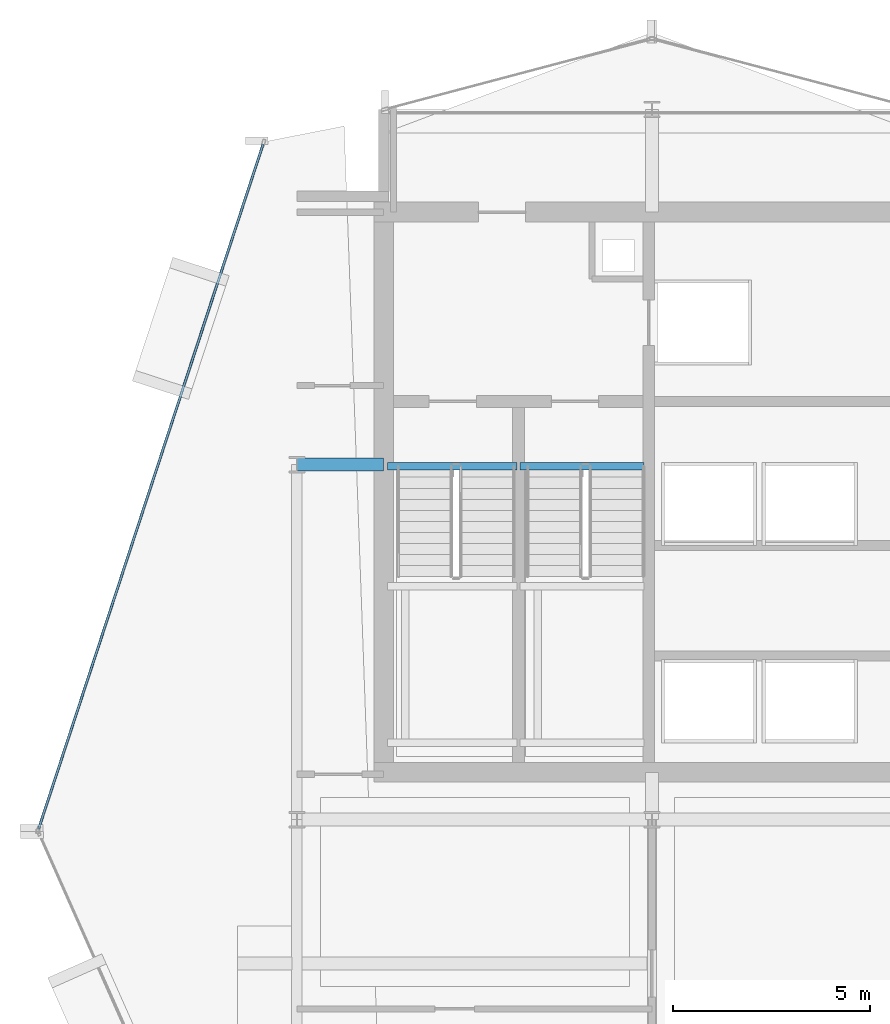
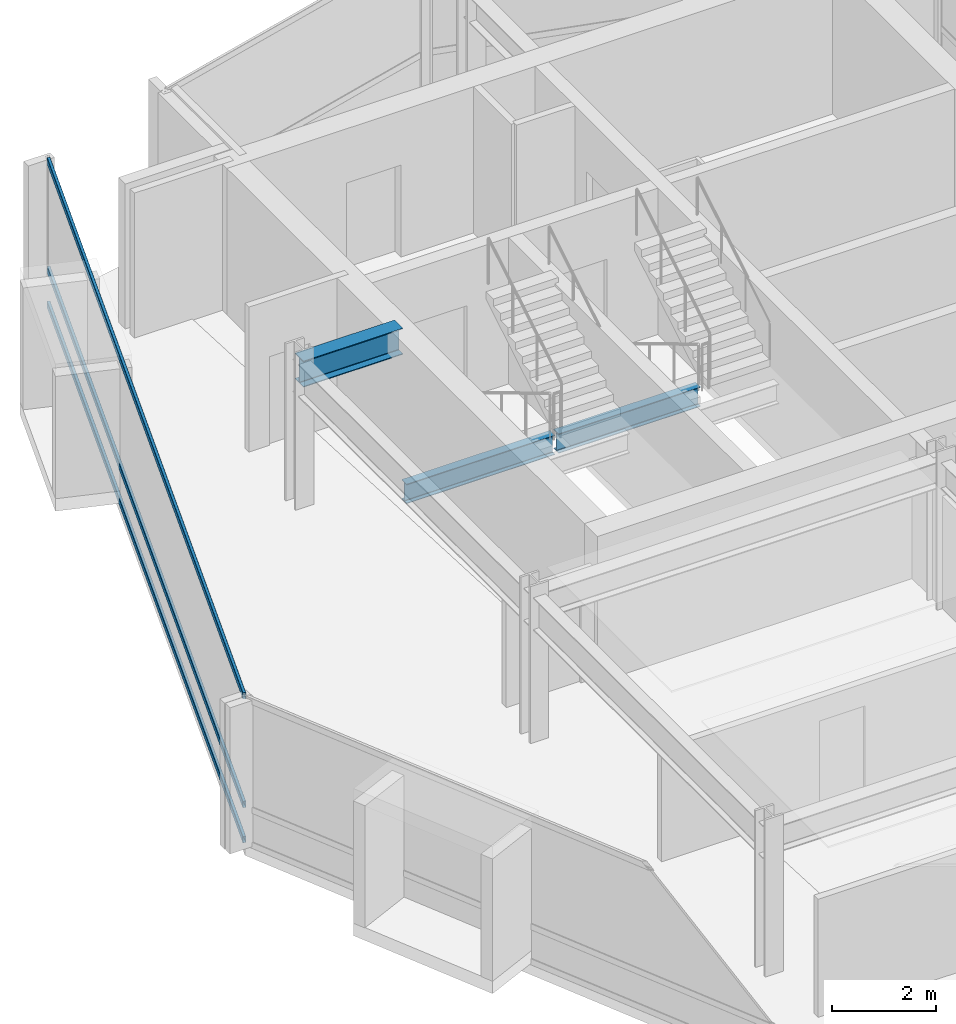
# One storey, part 15 of 27: 3 beams, 3 members, 1 element without a shape of its own.
"""IFC4 building model written with IfcOpenShell, lengths in metres."""

import ifcopenshell
import ifcopenshell.guid

model = None  # the IFC model being written
_history = None  # IfcOwnerHistory: only IFC2X3 demands one
_inside = {}  # id of a spatial element -> (the spatial element, [elements in it])
_under = {}  # id of a project, library or spatial element -> (it, [spatial elements below it])
_declared = {}  # id of a project -> (the project, [libraries it declares])
_typed = {}  # id of a type object -> (the type object, [elements of that type])
_made_of = {}  # id of a material, layer set ... -> (it, [elements and type objects made of it])


def new_model(schema):
    """Start an empty IFC model of exactly this schema.

    Asked for "IFC4X3", IfcOpenShell would pick the latest addendum, in which some entities
    have other attributes; the version numbers below select the first issue.
    IFC2X3 requires an IfcOwnerHistory on every rooted entity: one is made here for all.
    """
    global model, _history
    if schema == "IFC4X3":
        model = ifcopenshell.file(schema_version=(4, 3, 0, 0))
    else:
        model = ifcopenshell.file(schema=schema)
    _inside.clear()
    _under.clear()
    _declared.clear()
    _typed.clear()
    _made_of.clear()
    _history = None
    if model.schema == "IFC2X3":
        org = make("IfcOrganization", Name="unknown")
        user = make(
            "IfcPersonAndOrganization",
            ThePerson=make("IfcPerson", FamilyName="unknown"),
            TheOrganization=org,
        )
        app = make(
            "IfcApplication",
            ApplicationDeveloper=org,
            Version="unknown",
            ApplicationFullName="unknown",
            ApplicationIdentifier="unknown",
        )
        _history = make(
            "IfcOwnerHistory",
            OwningUser=user,
            OwningApplication=app,
            ChangeAction="ADDED",
            CreationDate=0,
        )
    return model


def make(cls, **values):
    """One entity of the class cls with the attributes given. An attribute that is None is left unset."""
    return model.create_entity(
        cls, **{name: value for name, value in values.items() if value is not None}
    )


def rooted(cls, **values):
    """An entity with a GlobalId (a new one), such as an element, a storey or a relation."""
    return make(cls, GlobalId=ifcopenshell.guid.new(), OwnerHistory=_history, **values)


def si_unit(unit_type, name, prefix=None):
    """IfcSIUnit, for example si_unit("LENGTHUNIT", "METRE", prefix="MILLI")."""
    return make("IfcSIUnit", UnitType=unit_type, Prefix=prefix, Name=name)


def assignment(units):
    """IfcUnitAssignment: the units of a project."""
    return None if units is None else make("IfcUnitAssignment", Units=units)


def point(xyz):
    """IfcCartesianPoint."""
    return None if xyz is None else make("IfcCartesianPoint", Coordinates=xyz)


def direction(xyz):
    """IfcDirection."""
    return None if xyz is None else make("IfcDirection", DirectionRatios=xyz)


def frame(location, z_axis=None, x_axis=None):
    """IfcAxis2Placement3D, a coordinate frame: its origin and axes. An axis left out is left unset."""
    return make(
        "IfcAxis2Placement3D",
        Location=point(location),
        Axis=direction(z_axis),
        RefDirection=direction(x_axis),
    )


def frame_2d(location, x_axis=None):
    """IfcAxis2Placement2D, a coordinate frame in the plane: its origin and x axis."""
    return make(
        "IfcAxis2Placement2D", Location=point(location), RefDirection=direction(x_axis)
    )


def origin():
    """The frame at (0, 0, 0) with its axes left unset."""
    return frame((0.0, 0.0, 0.0))


def origin_2d():
    """The frame at (0, 0) in the plane with its x axis left unset."""
    return frame_2d((0.0, 0.0))


def place(relative_to, where):
    """IfcLocalPlacement: puts the frame where relative to a parent placement (None: the world)."""
    return make(
        "IfcLocalPlacement", PlacementRelTo=relative_to, RelativePlacement=where
    )


def context(
    kind, dimensions, precision=None, world=None, true_north=None, identifier=None
):
    """IfcGeometricRepresentationContext, for example the 3D "Model" context."""
    return make(
        "IfcGeometricRepresentationContext",
        ContextIdentifier=identifier,
        ContextType=kind,
        CoordinateSpaceDimension=dimensions,
        Precision=precision,
        WorldCoordinateSystem=world,
        TrueNorth=true_north,
    )


def subcontext(parent, identifier, kind, view, scale=None):
    """IfcGeometricRepresentationSubContext, for example "Body" below "Model"."""
    return make(
        "IfcGeometricRepresentationSubContext",
        ContextIdentifier=identifier,
        ContextType=kind,
        ParentContext=parent,
        TargetScale=scale,
        TargetView=view,
    )


def project(units=None, contexts=None):
    """IfcProject with its units and contexts."""
    return rooted(
        "IfcProject",
        Name="project",
        RepresentationContexts=contexts,
        UnitsInContext=assignment(units),
    )


def spatial(cls, under=None, at=None, **own):
    """A site, building, storey or space (cls), placed at a placement, below another one or the project."""
    s = rooted(cls, ObjectPlacement=at, **own)
    if under is not None:
        _under.setdefault(under.id(), (under, []))[1].append(s)
    return s


def profile(cls, at=None, kind="AREA", **sizes):
    """A parametric profile (cls). Its sizes go by their IFC names, for example OverallWidth=200.0."""
    return make(cls, ProfileType=kind, Position=at, **sizes)


def hollow_rectangle(**sizes):
    """IfcRectangleHollowProfileDef."""
    return profile("IfcRectangleHollowProfileDef", **sizes)


def i_section(**sizes):
    """IfcIShapeProfileDef."""
    return profile("IfcIShapeProfileDef", **sizes)


def extrude(swept, where, along, depth):
    """IfcExtrudedAreaSolid: the profile swept, set in the frame where, extruded along a direction by depth."""
    return make(
        "IfcExtrudedAreaSolid",
        SweptArea=swept,
        Position=where,
        ExtrudedDirection=direction(along),
        Depth=depth,
    )


def shape(context_of_items, identifier, shape_type, items):
    """IfcShapeRepresentation: the items that make up one representation, for example the "Body"."""
    return make(
        "IfcShapeRepresentation",
        ContextOfItems=context_of_items,
        RepresentationIdentifier=identifier,
        RepresentationType=shape_type,
        Items=items,
    )


def material(Name=None, Category=None):
    """IfcMaterial."""
    return make("IfcMaterial", Name=Name, Category=Category)


def layer(
    of_material, thickness, ventilated=None, Name=None, Category=None, Priority=None
):
    """IfcMaterialLayer: one layer of a wall or slab, of a material (None: an air gap)."""
    return make(
        "IfcMaterialLayer",
        Material=of_material,
        LayerThickness=thickness,
        IsVentilated=ventilated,
        Name=Name,
        Category=Category,
        Priority=Priority,
    )


def layer_set(layers, Name=None):
    """IfcMaterialLayerSet."""
    return make("IfcMaterialLayerSet", MaterialLayers=layers, LayerSetName=Name)


def material_profile(
    of_material, cross_section, Name=None, Category=None, Priority=None
):
    """IfcMaterialProfile: a cross section and its material."""
    return make(
        "IfcMaterialProfile",
        Name=Name,
        Material=of_material,
        Profile=cross_section,
        Priority=Priority,
        Category=Category,
    )


def profile_set(profiles, Name=None, composite=None):
    """IfcMaterialProfileSet."""
    return make(
        "IfcMaterialProfileSet",
        Name=Name,
        MaterialProfiles=profiles,
        CompositeProfile=composite,
    )


def made_of(thing, what):
    """Note that an element or type object is made of a material, layer set ...; save() writes the relation."""
    if what is not None:
        _made_of.setdefault(what.id(), (what, []))[1].append(thing)
    return thing


def type_object(cls, material=None, **own):
    """A type object (cls), such as IfcWallType, which elements share."""
    return made_of(rooted(cls, **own), material)


def element(
    cls,
    number,
    at=None,
    inside=None,
    cuts=None,
    type_object=None,
    material=None,
    context=None,
    identifier="Body",
    shape_type=None,
    held_by="IfcProductDefinitionShape",
    body=None,
    shapes=None,
    **own,
):
    """One element of the class cls, such as IfcWall. Its Tag is "e" and its number.

    at: its placement. inside: the storey or other place that contains it. cuts: it is an
    opening in that element (IfcRelVoidsElement). A single representation is given by context,
    identifier, shape_type and body (its items); several are given by shapes. held_by: the class
    of the entity that holds the representations. save() writes the other relations.
    """
    e = rooted(cls, Tag="e%d" % number, ObjectPlacement=at, **own)
    if body is not None:
        shapes = [shape(context, identifier, shape_type, body)]
    if shapes is not None:
        e.Representation = make(held_by, Representations=shapes)
    if inside is not None:
        _inside.setdefault(inside.id(), (inside, []))[1].append(e)
    if cuts is not None:
        rooted(
            "IfcRelVoidsElement", RelatingBuildingElement=cuts, RelatedOpeningElement=e
        )
    if type_object is not None:
        _typed.setdefault(type_object.id(), (type_object, []))[1].append(e)
    return made_of(e, material)


def aggregate(whole, parts):
    """IfcRelAggregates: a whole, such as a stair, and the parts it consists of."""
    return rooted("IfcRelAggregates", RelatingObject=whole, RelatedObjects=parts)


def save(model, path):
    """Write the relations noted so far, then the file.

    IfcRelAggregates (storeys below a building ...), IfcRelContainedInSpatialStructure (elements
    in a storey), IfcRelDefinesByType, IfcRelAssociatesMaterial and IfcRelDeclares: one each for
    every whole, place, type object, material and project.
    """
    for whole, parts in _under.values():
        aggregate(whole, parts)
    for where, things in _inside.values():
        rooted(
            "IfcRelContainedInSpatialStructure",
            RelatedElements=things,
            RelatingStructure=where,
        )
    for kind, things in _typed.values():
        rooted("IfcRelDefinesByType", RelatedObjects=things, RelatingType=kind)
    for what, things in _made_of.values():
        rooted("IfcRelAssociatesMaterial", RelatedObjects=things, RelatingMaterial=what)
    for by, libraries in _declared.values():
        rooted("IfcRelDeclares", RelatingContext=by, RelatedDefinitions=libraries)
    model.write(path)


model = new_model("IFC4")

# Units and contexts
model_context = context("Model", 3, precision=1e-05, world=origin(), true_north=direction((0.0, 1.0)))
body_context = subcontext(model_context, "Body", "Model", "MODEL_VIEW")
ifc_project = project(units=[si_unit("LENGTHUNIT", "METRE"), si_unit("AREAUNIT", "SQUARE_METRE"), si_unit("VOLUMEUNIT", "CUBIC_METRE"), si_unit("PLANEANGLEUNIT", "RADIAN"), si_unit("MASSUNIT", "GRAM", prefix="KILO")], contexts=[model_context])

# Site, building, storey
site_placement = place(None, origin())
site = spatial("IfcSite", under=ifc_project, at=site_placement, CompositionType="ELEMENT")
building_placement = place(site_placement, origin())
building = spatial("IfcBuilding", under=site, at=building_placement, Name="Solvaryn Broadcast Tower", CompositionType="ELEMENT")
storey_placement = place(building_placement, frame((0.0, 0.0, 177.89990234375)))
storey = spatial("IfcBuildingStorey", under=building, at=storey_placement, Name="L44", CompositionType="ELEMENT", Elevation=177.89990234375)

# Beams
ifc_material_1 = material(Name="Steel ASTM A992 Grade 50", Category="steel")
ifc_material_profile_1 = material_profile(ifc_material_1, i_section(OverallWidth=0.323974609375, OverallDepth=0.611083984375, WebThickness=0.0126953125, FlangeThickness=0.01904296875, FilletRadius=0.014892578125, at=origin_2d()))
ifc_profile_set_1 = profile_set([ifc_material_profile_1], Name="Steel ASTM A992 Grade 50")
beam_type_1 = type_object("IfcBeamType", Name="BM-B1-W24X104", PredefinedType="BEAM", material=ifc_profile_set_1)
beam_1_placement = place(storey_placement, frame((9.0, 36.0, 3.114501953125), z_axis=(1.0, 0.0, 0.0), x_axis=(0.0, 1.0, 0.0)))
element("IfcBeam", 1, at=beam_1_placement, inside=storey, type_object=beam_type_1, Name="L44 Core Tie Beam CTW1", PredefinedType="BEAM", context=body_context, shape_type="SweptSolid", body=[
    extrude(i_section(OverallWidth=0.323974609375, OverallDepth=0.611083984375, WebThickness=0.0126953125, FlangeThickness=0.01904296875, FilletRadius=0.014892578125, at=origin_2d()), origin(), (0.0, 0.0, 1.0), 2.199951171875),
])
ifc_material_2 = material(Name="Steel ASTM A992 Grade 50", Category="steel")
ifc_material_profile_2 = material_profile(ifc_material_2, i_section(OverallWidth=0.18994140625, OverallDepth=0.45703125, WebThickness=0.009033203125, FlangeThickness=0.014404296875, FilletRadius=0.011962890625, at=origin_2d()))
ifc_profile_set_2 = profile_set([ifc_material_profile_2], Name="Steel ASTM A992 Grade 50")
beam_type_2 = type_object("IfcBeamType", Name="BM-B4-W18X50", PredefinedType="BEAM", material=ifc_profile_set_2)
beam_2_placement = place(storey_placement, frame((11.300048828125, 35.9599609375, -0.50830078125), z_axis=(1.0, 0.0, 0.0), x_axis=(0.0, 1.0, 0.0)))
element("IfcBeam", 2, at=beam_2_placement, inside=storey, type_object=beam_type_2, Name="L44 ST1 Stair Well Trimmer Beam", PredefinedType="BEAM", context=body_context, shape_type="SweptSolid", body=[
    extrude(i_section(OverallWidth=0.18994140625, OverallDepth=0.45703125, WebThickness=0.009033203125, FlangeThickness=0.014404296875, FilletRadius=0.011962890625, at=origin_2d()), origin(), (0.0, 0.0, 1.0), 3.280029296875),
])
beam_3_placement = place(storey_placement, frame((14.659912109375, 35.9599609375, -0.50830078125), z_axis=(1.0, 0.0, 0.0), x_axis=(0.0, 1.0, 0.0)))
element("IfcBeam", 3, at=beam_3_placement, inside=storey, type_object=beam_type_2, Name="L44 ST2 Stair Well Trimmer Beam", PredefinedType="BEAM", context=body_context, shape_type="SweptSolid", body=[
    extrude(i_section(OverallWidth=0.18994140625, OverallDepth=0.45703125, WebThickness=0.009033203125, FlangeThickness=0.014404296875, FilletRadius=0.011962890625, at=origin_2d()), origin(), (0.0, 0.0, 1.0), 3.14013671875),
])

# Curtain wall, members
ifc_material_3 = material(Name="Aluminium and Terracotta Unitised Curtain Wall", Category="masonry")
ifc_layer = layer(ifc_material_3, 0.199951171875)
ifc_layer_set = layer_set([ifc_layer], Name="CW-SYS2-LOWMID")
curtain_wall_type = type_object("IfcCurtainWallType", Name="CW-SYS2-LOWMID", PredefinedType="NOTDEFINED", material=ifc_layer_set)
curtain_wall_placement = place(storey_placement, origin())
curtain_wall = element("IfcCurtainWall", 4, at=curtain_wall_placement, inside=storey, type_object=curtain_wall_type, Name="L44 Curtain Wall DR1", PredefinedType="NOTDEFINED")
ifc_material_4 = material(Name="Anodised Aluminium 6063-T6", Category="aluminium")
ifc_material_profile_3 = material_profile(ifc_material_4, hollow_rectangle(XDim=0.06494140625, YDim=0.14990234375, WallThickness=0.00390625, InnerFilletRadius=0.00390625, OuterFilletRadius=0.008056640625, at=origin_2d()))
ifc_profile_set_3 = profile_set([ifc_material_profile_3], Name="Anodised Aluminium 6063-T6")
member_type = type_object("IfcMemberType", Name="CW-TRN-150", PredefinedType="USERDEFINED", material=ifc_profile_set_3)
member_1_placement = place(storey_placement, frame((8.144287109375, 44.125, 0.030029296875), z_axis=(-0.311557987209, -0.950227141586, 0.0), x_axis=(0.950227141586, -0.311557987209, 0.0)))
member_1 = element("IfcMember", 5, at=member_1_placement, type_object=member_type, Name="CWS2 transom 1.1", ObjectType="TRANSOM", PredefinedType="USERDEFINED", context=body_context, shape_type="SweptSolid", body=[
    extrude(hollow_rectangle(XDim=0.06494140625, YDim=0.14990234375, WallThickness=0.00390625, InnerFilletRadius=0.00390625, OuterFilletRadius=0.008056640625, at=origin_2d()), origin(), (0.0, 0.0, 1.0), 18.271484375),
])
member_2_placement = place(storey_placement, frame((8.144287109375, 44.125, 0.85009765625), z_axis=(-0.311557987209, -0.950227141586, 0.0), x_axis=(0.950227141586, -0.311557987209, 0.0)))
member_2 = element("IfcMember", 6, at=member_2_placement, type_object=member_type, Name="CWS2 transom 1.2", ObjectType="TRANSOM", PredefinedType="USERDEFINED", context=body_context, shape_type="SweptSolid", body=[
    extrude(hollow_rectangle(XDim=0.06494140625, YDim=0.14990234375, WallThickness=0.00390625, InnerFilletRadius=0.00390625, OuterFilletRadius=0.008056640625, at=origin_2d()), origin(), (0.0, 0.0, 1.0), 18.271484375),
])
member_3_placement = place(storey_placement, frame((8.144287109375, 44.125, 3.39013671875), z_axis=(-0.311557987209, -0.950227141586, 0.0), x_axis=(0.950227141586, -0.311557987209, 0.0)))
member_3 = element("IfcMember", 7, at=member_3_placement, type_object=member_type, Name="CWS2 transom 1.3", ObjectType="TRANSOM", PredefinedType="USERDEFINED", context=body_context, shape_type="SweptSolid", body=[
    extrude(hollow_rectangle(XDim=0.06494140625, YDim=0.14990234375, WallThickness=0.00390625, InnerFilletRadius=0.00390625, OuterFilletRadius=0.008056640625, at=origin_2d()), origin(), (0.0, 0.0, 1.0), 18.271484375),
])
aggregate(curtain_wall, [member_1, member_2, member_3])

save(model, "model.ifc")
